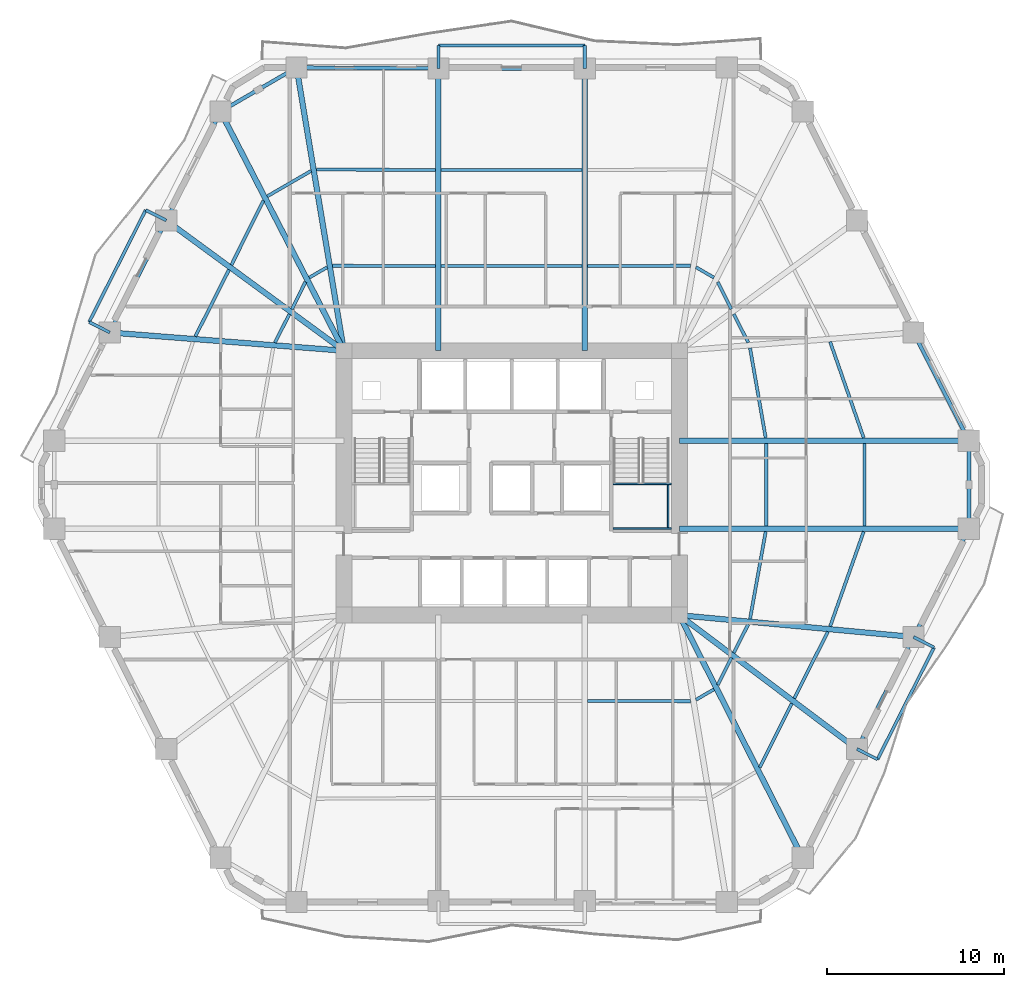
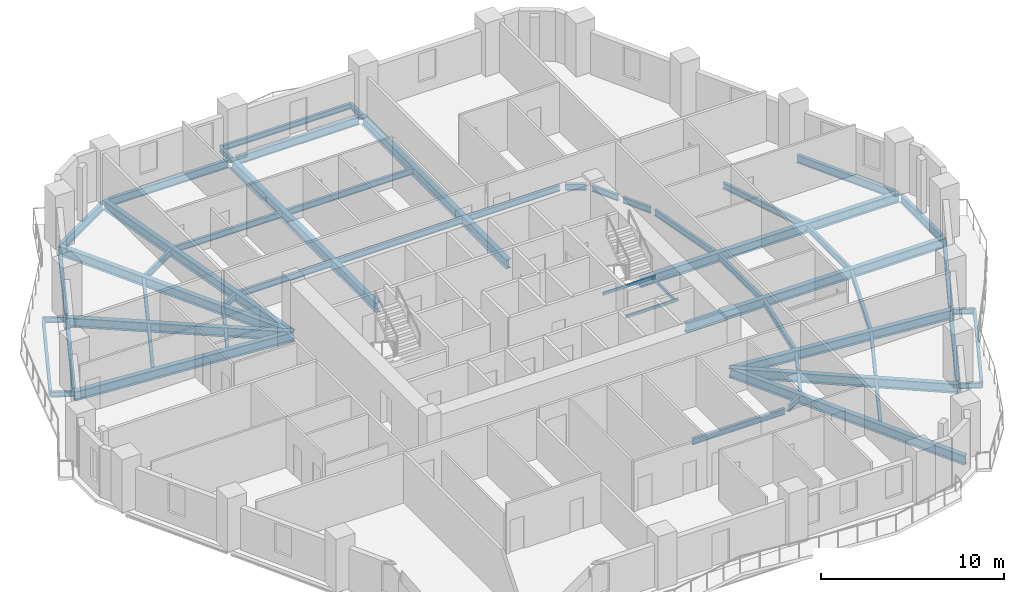
# One storey, part 2 of 12: 58 beams.
"""IFC4 building model written with IfcOpenShell, lengths in metres."""

from ifc_helpers import new_model, si_unit, direction, frame, origin, origin_2d, place, context, subcontext, project, spatial, hollow_rectangle, i_section, extrude, material, material_profile, profile_set, type_object, element, save


model = new_model("IFC4")

# Units and contexts
model_context = context("Model", 3, precision=1e-05, world=origin(), true_north=direction((0.0, 1.0)))
body_context = subcontext(model_context, "Body", "Model", "MODEL_VIEW")
ifc_project = project(units=[si_unit("LENGTHUNIT", "METRE"), si_unit("AREAUNIT", "SQUARE_METRE"), si_unit("VOLUMEUNIT", "CUBIC_METRE"), si_unit("PLANEANGLEUNIT", "RADIAN"), si_unit("MASSUNIT", "GRAM", prefix="KILO")], contexts=[model_context])

# Site, building, storey
site_placement = place(None, origin())
site = spatial("IfcSite", under=ifc_project, at=site_placement, CompositionType="ELEMENT")
building_placement = place(site_placement, origin())
building = spatial("IfcBuilding", under=site, at=building_placement, Name="Cinnabar Lancet Tower", CompositionType="ELEMENT")
storey_placement = place(building_placement, frame((0.0, 0.0, 32.0)))
storey = spatial("IfcBuildingStorey", under=building, at=storey_placement, Name="L07", CompositionType="ELEMENT", Elevation=32.0)

# Beams
ifc_material_1 = material(Name="Structural steel S355", Category="steel")
ifc_material_profile_1 = material_profile(ifc_material_1, i_section(OverallWidth=0.177978515625, OverallDepth=0.406494140625, WebThickness=0.0078125, FlangeThickness=0.0126953125, FilletRadius=0.01025390625, at=origin_2d()), Name="UKB 406x178x60")
ifc_profile_set_1 = profile_set([ifc_material_profile_1], Name="Structural steel S355")
beam_type_1 = type_object("IfcBeamType", Name="STR-BM-JST-406", PredefinedType="JOIST", material=ifc_profile_set_1)
beam_1_placement = place(storey_placement, frame((36.676025390625, 13.616943359375, -0.423095703125), z_axis=(0.999996723732, -0.002559790187, 0.0), x_axis=(0.002559790187, 0.999996723732, 0.0)))
element("IfcBeam", 1, at=beam_1_placement, inside=storey, type_object=beam_type_1, Name="L07 Secondary Floor Joist 14", PredefinedType="JOIST", context=body_context, shape_type="SweptSolid", body=[
    extrude(i_section(OverallWidth=0.177978515625, OverallDepth=0.406494140625, WebThickness=0.0078125, FlangeThickness=0.0126953125, FilletRadius=0.01025390625, at=origin_2d()), origin(), (0.0, 0.0, 1.0), 5.81787109375),
])
beam_2_placement = place(storey_placement, frame((42.7919921875, 13.68408203125, -0.423095703125), z_axis=(0.865192550274, 0.50143977799, 0.0), x_axis=(-0.50143977799, 0.865192550274, 0.0)))
element("IfcBeam", 2, at=beam_2_placement, inside=storey, type_object=beam_type_1, Name="L07 Secondary Floor Joist 16", PredefinedType="JOIST", context=body_context, shape_type="SweptSolid", body=[
    extrude(i_section(OverallWidth=0.177978515625, OverallDepth=0.406494140625, WebThickness=0.0078125, FlangeThickness=0.0126953125, FilletRadius=0.01025390625, at=origin_2d()), origin(), (0.0, 0.0, 1.0), 1.16845703125),
])
beam_3_placement = place(storey_placement, frame((46.385009765625, 9.867919921875, -0.423095703125), z_axis=(0.445835127839, 0.895115098065, 0.0), x_axis=(-0.895115098065, 0.445835127839, 0.0)))
element("IfcBeam", 3, at=beam_3_placement, inside=storey, type_object=beam_type_1, Name="L07 Secondary Floor Joist 17", PredefinedType="JOIST", context=body_context, shape_type="SweptSolid", body=[
    extrude(i_section(OverallWidth=0.177978515625, OverallDepth=0.406494140625, WebThickness=0.0078125, FlangeThickness=0.0126953125, FilletRadius=0.01025390625, at=origin_2d()), origin(), (0.0, 0.0, 1.0), 4.03955078125),
])
beam_4_placement = place(storey_placement, frame((44.02099609375, 14.51806640625, -0.423095703125), z_axis=(0.44578468599, 0.895140220154, 0.0), x_axis=(-0.895140220154, 0.44578468599, 0.0)))
element("IfcBeam", 4, at=beam_4_placement, inside=storey, type_object=beam_type_1, Name="L07 Secondary Floor Joist 18", PredefinedType="JOIST", context=body_context, shape_type="SweptSolid", body=[
    extrude(i_section(OverallWidth=0.177978515625, OverallDepth=0.406494140625, WebThickness=0.0078125, FlangeThickness=0.0126953125, FilletRadius=0.01025390625, at=origin_2d()), origin(), (0.0, 0.0, 1.0), 1.709228515625),
])
beam_5_placement = place(storey_placement, frame((48.325927734375, 13.762939453125, -0.423095703125), z_axis=(0.450717414682, 0.892666685893, 0.0), x_axis=(-0.892666685893, 0.450717414682, 0.0)))
element("IfcBeam", 5, at=beam_5_placement, inside=storey, type_object=beam_type_1, Name="L07 Secondary Floor Joist 19", PredefinedType="JOIST", context=body_context, shape_type="SweptSolid", body=[
    extrude(i_section(OverallWidth=0.177978515625, OverallDepth=0.406494140625, WebThickness=0.0078125, FlangeThickness=0.0126953125, FilletRadius=0.01025390625, at=origin_2d()), origin(), (0.0, 0.0, 1.0), 4.204345703125),
])
beam_6_placement = place(storey_placement, frame((44.923095703125, 16.326904296875, -0.423095703125), z_axis=(0.450411488104, 0.892821085875, 0.0), x_axis=(-0.892821085875, 0.450411488104, 0.0)))
element("IfcBeam", 6, at=beam_6_placement, inside=storey, type_object=beam_type_1, Name="L07 Secondary Floor Joist 20", PredefinedType="JOIST", context=body_context, shape_type="SweptSolid", body=[
    extrude(i_section(OverallWidth=0.177978515625, OverallDepth=0.406494140625, WebThickness=0.0078125, FlangeThickness=0.0126953125, FilletRadius=0.01025390625, at=origin_2d()), origin(), (0.0, 0.0, 1.0), 1.800048828125),
])
beam_7_placement = place(storey_placement, frame((50.347900390625, 17.81201171875, -0.423095703125), z_axis=(0.333387390151, 0.942789927867, 0.0), x_axis=(-0.942789927867, 0.333387390151, 0.0)))
element("IfcBeam", 7, at=beam_7_placement, inside=storey, type_object=beam_type_1, Name="L07 Secondary Floor Joist 21", PredefinedType="JOIST", context=body_context, shape_type="SweptSolid", body=[
    extrude(i_section(OverallWidth=0.177978515625, OverallDepth=0.406494140625, WebThickness=0.0078125, FlangeThickness=0.0126953125, FilletRadius=0.01025390625, at=origin_2d()), origin(), (0.0, 0.0, 1.0), 5.67236328125),
])
beam_8_placement = place(storey_placement, frame((45.8359375, 18.23291015625, -0.423095703125), z_axis=(0.176227857104, 0.984349400559, 0.0), x_axis=(-0.984349400559, 0.176227857104, 0.0)))
element("IfcBeam", 8, at=beam_8_placement, inside=storey, type_object=beam_type_1, Name="L07 Secondary Floor Joist 22", PredefinedType="JOIST", context=body_context, shape_type="SweptSolid", body=[
    extrude(i_section(OverallWidth=0.177978515625, OverallDepth=0.406494140625, WebThickness=0.0078125, FlangeThickness=0.0126953125, FilletRadius=0.01025390625, at=origin_2d()), origin(), (0.0, 0.0, 1.0), 5.00537109375),
])
for number, where, z_axis, x_axis, name in (
    (9, (52.2939453125, 23.468017578125, -0.423095703125), (0.0, 1.0, 0.0), (-1.0, 0.0, 0.0), "L07 Secondary Floor Joist 23"),
    (10, (46.7451171875, 23.468017578125, -0.423095703125), (0.0, 1.0, 0.0), (-1.0, 0.0, 0.0), "L07 Secondary Floor Joist 24"),
):
    element("IfcBeam", number, at=place(storey_placement, frame(where, z_axis=z_axis, x_axis=x_axis)), inside=storey, type_object=beam_type_1, Name=name, PredefinedType="JOIST", context=body_context, shape_type="SweptSolid", body=[
        extrude(i_section(OverallWidth=0.177978515625, OverallDepth=0.406494140625, WebThickness=0.0078125, FlangeThickness=0.0126953125, FilletRadius=0.01025390625, at=origin_2d()), origin(), (0.0, 0.0, 1.0), 4.6640625),
    ])
beam_9_placement = place(storey_placement, frame((52.239990234375, 28.43994140625, -0.423095703125), z_axis=(-0.329645522599, 0.944104776723, 0.0), x_axis=(-0.944104776723, -0.329645522599, 0.0)))
element("IfcBeam", 11, at=beam_9_placement, inside=storey, type_object=beam_type_1, Name="L07 Secondary Floor Joist 25", PredefinedType="JOIST", context=body_context, shape_type="SweptSolid", body=[
    extrude(i_section(OverallWidth=0.177978515625, OverallDepth=0.406494140625, WebThickness=0.0078125, FlangeThickness=0.0126953125, FilletRadius=0.01025390625, at=origin_2d()), origin(), (0.0, 0.0, 1.0), 5.73974609375),
])
beam_10_placement = place(storey_placement, frame((46.718994140625, 28.43994140625, -0.423095703125), z_axis=(-0.171867959611, 0.985119994954, 0.0), x_axis=(-0.985119994954, -0.171867959611, 0.0)))
element("IfcBeam", 12, at=beam_10_placement, inside=storey, type_object=beam_type_1, Name="L07 Secondary Floor Joist 26", PredefinedType="JOIST", context=body_context, shape_type="SweptSolid", body=[
    extrude(i_section(OverallWidth=0.177978515625, OverallDepth=0.406494140625, WebThickness=0.0078125, FlangeThickness=0.0126953125, FilletRadius=0.01025390625, at=origin_2d()), origin(), (0.0, 0.0, 1.0), 5.1435546875),
])
beam_11_placement = place(storey_placement, frame((45.73388671875, 33.806884765625, -0.423095703125), z_axis=(-0.450629740029, 0.892710948405, 0.0), x_axis=(-0.892710948405, -0.450629740029, 0.0)))
element("IfcBeam", 13, at=beam_11_placement, inside=storey, type_object=beam_type_1, Name="L07 Secondary Floor Joist 28", PredefinedType="JOIST", context=body_context, shape_type="SweptSolid", body=[
    extrude(i_section(OverallWidth=0.177978515625, OverallDepth=0.406494140625, WebThickness=0.0078125, FlangeThickness=0.0126953125, FilletRadius=0.01025390625, at=origin_2d()), origin(), (0.0, 0.0, 1.0), 1.79931640625),
])
beam_12_placement = place(storey_placement, frame((44.782958984375, 35.69189453125, -0.423095703125), z_axis=(-0.445556802404, 0.895253671219, 0.0), x_axis=(-0.895253671219, -0.445556802404, 0.0)))
element("IfcBeam", 14, at=beam_12_placement, inside=storey, type_object=beam_type_1, Name="L07 Secondary Floor Joist 30", PredefinedType="JOIST", context=body_context, shape_type="SweptSolid", body=[
    extrude(i_section(OverallWidth=0.177978515625, OverallDepth=0.406494140625, WebThickness=0.0078125, FlangeThickness=0.0126953125, FilletRadius=0.01025390625, at=origin_2d()), origin(), (0.0, 0.0, 1.0), 1.710205078125),
])
beam_13_placement = place(storey_placement, frame((43.802978515625, 37.469970703125, -0.423095703125), z_axis=(-0.865192550274, 0.50143977799, 0.0), x_axis=(-0.50143977799, -0.865192550274, 0.0)))
element("IfcBeam", 15, at=beam_13_placement, inside=storey, type_object=beam_type_1, Name="L07 Secondary Floor Joist 32", PredefinedType="JOIST", context=body_context, shape_type="SweptSolid", body=[
    extrude(i_section(OverallWidth=0.177978515625, OverallDepth=0.406494140625, WebThickness=0.0078125, FlangeThickness=0.0126953125, FilletRadius=0.01025390625, at=origin_2d()), origin(), (0.0, 0.0, 1.0), 1.16845703125),
])
beam_14_placement = place(storey_placement, frame((42.493896484375, 38.137939453125, -0.423095703125), z_axis=(-0.999996723732, -0.002559790187, 0.0), x_axis=(0.002559790187, -0.999996723732, 0.0)))
element("IfcBeam", 16, at=beam_14_placement, inside=storey, type_object=beam_type_1, Name="L07 Secondary Floor Joist 34", PredefinedType="JOIST", context=body_context, shape_type="SweptSolid", body=[
    extrude(i_section(OverallWidth=0.177978515625, OverallDepth=0.406494140625, WebThickness=0.0078125, FlangeThickness=0.0126953125, FilletRadius=0.01025390625, at=origin_2d()), origin(), (0.0, 0.0, 1.0), 5.81787109375),
])
for number, where, z_axis, x_axis, name in (
    (17, (36.367919921875, 43.531005859375, -0.423095703125), (-1.0, 0.0, 0.0), (0.0, -1.0, 0.0), "L07 Secondary Floor Joist 35"),
    (18, (36.367919921875, 38.1220703125, -0.423095703125), (-1.0, 0.0, 0.0), (0.0, -1.0, 0.0), "L07 Secondary Floor Joist 36"),
):
    element("IfcBeam", number, at=place(storey_placement, frame(where, z_axis=z_axis, x_axis=x_axis)), inside=storey, type_object=beam_type_1, Name=name, PredefinedType="JOIST", context=body_context, shape_type="SweptSolid", body=[
        extrude(i_section(OverallWidth=0.177978515625, OverallDepth=0.406494140625, WebThickness=0.0078125, FlangeThickness=0.0126953125, FilletRadius=0.01025390625, at=origin_2d()), origin(), (0.0, 0.0, 1.0), 7.93603515625),
    ])
beam_15_placement = place(storey_placement, frame((28.1240234375, 43.531982421875, -0.423095703125), z_axis=(-0.999988691939, 0.004755627628, 0.0), x_axis=(-0.004755627628, -0.999988691939, 0.0)))
element("IfcBeam", 19, at=beam_15_placement, inside=storey, type_object=beam_type_1, Name="L07 Secondary Floor Joist 37", PredefinedType="JOIST", context=body_context, shape_type="SweptSolid", body=[
    extrude(i_section(OverallWidth=0.177978515625, OverallDepth=0.406494140625, WebThickness=0.0078125, FlangeThickness=0.0126953125, FilletRadius=0.01025390625, at=origin_2d()), origin(), (0.0, 0.0, 1.0), 6.72509765625),
])
beam_16_placement = place(storey_placement, frame((28.1240234375, 38.123046875, -0.423095703125), z_axis=(-0.999996724007, 0.002559682773, 0.0), x_axis=(-0.002559682773, -0.999996724007, 0.0)))
element("IfcBeam", 20, at=beam_16_placement, inside=storey, type_object=beam_type_1, Name="L07 Secondary Floor Joist 38", PredefinedType="JOIST", context=body_context, shape_type="SweptSolid", body=[
    extrude(i_section(OverallWidth=0.177978515625, OverallDepth=0.406494140625, WebThickness=0.0078125, FlangeThickness=0.0126953125, FilletRadius=0.01025390625, at=origin_2d()), origin(), (0.0, 0.0, 1.0), 5.818115234375),
])
beam_17_placement = place(storey_placement, frame((21.10107421875, 43.48291015625, -0.423095703125), z_axis=(-0.865113631149, -0.50157592167, 0.0), x_axis=(0.50157592167, -0.865113631149, 0.0)))
element("IfcBeam", 21, at=beam_17_placement, inside=storey, type_object=beam_type_1, Name="L07 Secondary Floor Joist 39", PredefinedType="JOIST", context=body_context, shape_type="SweptSolid", body=[
    extrude(i_section(OverallWidth=0.177978515625, OverallDepth=0.406494140625, WebThickness=0.0078125, FlangeThickness=0.0126953125, FilletRadius=0.01025390625, at=origin_2d()), origin(), (0.0, 0.0, 1.0), 2.852783203125),
])
beam_18_placement = place(storey_placement, frame((22.008056640625, 38.055908203125, -0.423095703125), z_axis=(-0.865192550274, -0.50143977799, 0.0), x_axis=(0.50143977799, -0.865192550274, 0.0)))
element("IfcBeam", 22, at=beam_18_placement, inside=storey, type_object=beam_type_1, Name="L07 Secondary Floor Joist 40", PredefinedType="JOIST", context=body_context, shape_type="SweptSolid", body=[
    extrude(i_section(OverallWidth=0.177978515625, OverallDepth=0.406494140625, WebThickness=0.0078125, FlangeThickness=0.0126953125, FilletRadius=0.01025390625, at=origin_2d()), origin(), (0.0, 0.0, 1.0), 1.16845703125),
])
beam_19_placement = place(storey_placement, frame((18.4150390625, 41.804931640625, -0.423095703125), z_axis=(-0.445738672706, -0.895163133543, 0.0), x_axis=(0.895163133543, -0.445738672706, 0.0)))
element("IfcBeam", 23, at=beam_19_placement, inside=storey, type_object=beam_type_1, Name="L07 Secondary Floor Joist 41", PredefinedType="JOIST", context=body_context, shape_type="SweptSolid", body=[
    extrude(i_section(OverallWidth=0.177978515625, OverallDepth=0.406494140625, WebThickness=0.0078125, FlangeThickness=0.0126953125, FilletRadius=0.01025390625, at=origin_2d()), origin(), (0.0, 0.0, 1.0), 4.04052734375),
])
beam_20_placement = place(storey_placement, frame((20.779052734375, 37.222900390625, -0.423095703125), z_axis=(-0.445556802404, -0.895253671219, 0.0), x_axis=(0.895253671219, -0.445556802404, 0.0)))
element("IfcBeam", 24, at=beam_20_placement, inside=storey, type_object=beam_type_1, Name="L07 Secondary Floor Joist 42", PredefinedType="JOIST", context=body_context, shape_type="SweptSolid", body=[
    extrude(i_section(OverallWidth=0.177978515625, OverallDepth=0.406494140625, WebThickness=0.0078125, FlangeThickness=0.0126953125, FilletRadius=0.01025390625, at=origin_2d()), origin(), (0.0, 0.0, 1.0), 1.710205078125),
])
beam_21_placement = place(storey_placement, frame((16.47412109375, 37.908935546875, -0.423095703125), z_axis=(-0.450834254961, -0.89260768233, 0.0), x_axis=(0.89260768233, -0.450834254961, 0.0)))
element("IfcBeam", 25, at=beam_21_placement, inside=storey, type_object=beam_type_1, Name="L07 Secondary Floor Joist 43", PredefinedType="JOIST", context=body_context, shape_type="SweptSolid", body=[
    extrude(i_section(OverallWidth=0.177978515625, OverallDepth=0.406494140625, WebThickness=0.0078125, FlangeThickness=0.0126953125, FilletRadius=0.01025390625, at=origin_2d()), origin(), (0.0, 0.0, 1.0), 4.203369140625),
])
beam_22_placement = place(storey_placement, frame((19.876953125, 35.4130859375, -0.423095703125), z_axis=(-0.450737866707, -0.892656359142, 0.0), x_axis=(0.892656359142, -0.450737866707, 0.0)))
element("IfcBeam", 26, at=beam_22_placement, inside=storey, type_object=beam_type_1, Name="L07 Secondary Floor Joist 44", PredefinedType="JOIST", context=body_context, shape_type="SweptSolid", body=[
    extrude(i_section(OverallWidth=0.177978515625, OverallDepth=0.406494140625, WebThickness=0.0078125, FlangeThickness=0.0126953125, FilletRadius=0.01025390625, at=origin_2d()), origin(), (0.0, 0.0, 1.0), 1.79931640625),
])
ifc_material_2 = material(Name="Structural steel S355", Category="steel")
ifc_material_profile_2 = material_profile(ifc_material_2, hollow_rectangle(XDim=0.10009765625, YDim=0.199951171875, WallThickness=0.008056640625, InnerFilletRadius=0.00390625, OuterFilletRadius=0.011962890625, at=origin_2d()), Name="RHS 200x100x8")
ifc_profile_set_2 = profile_set([ifc_material_profile_2], Name="Structural steel S355")
beam_type_2 = type_object("IfcBeamType", Name="STR-BM-LND-203", PredefinedType="BEAM", material=ifc_profile_set_2)
for number, where, z_axis, x_axis, name in (
    (27, (38.1201171875, 23.330078125, 1.47509765625), (1.0, 0.0, 0.0), (0.0, 1.0, 0.0), "L07 ST-2-L07 Landing Support Beam S"),
    (28, (38.1201171875, 25.844970703125, 1.47509765625), (1.0, 0.0, 0.0), (0.0, 1.0, 0.0), "L07 ST-2-L07 Landing Support Beam N"),
):
    element("IfcBeam", number, at=place(storey_placement, frame(where, z_axis=z_axis, x_axis=x_axis)), inside=storey, type_object=beam_type_2, Name=name, PredefinedType="BEAM", context=body_context, shape_type="SweptSolid", body=[
        extrude(hollow_rectangle(XDim=0.10009765625, YDim=0.199951171875, WallThickness=0.008056640625, InnerFilletRadius=0.00390625, OuterFilletRadius=0.011962890625, at=origin_2d()), origin(), (0.0, 0.0, 1.0), 3.27978515625),
    ])
beam_23_placement = place(storey_placement, frame((41.219970703125, 23.3798828125, 1.47509765625), z_axis=(0.0, 1.0, 0.0), x_axis=(-1.0, 0.0, 0.0)))
element("IfcBeam", 29, at=beam_23_placement, inside=storey, type_object=beam_type_2, Name="L07 ST-2-L07 Landing Side Trimmer Beam", PredefinedType="BEAM", context=body_context, shape_type="SweptSolid", body=[
    extrude(hollow_rectangle(XDim=0.10009765625, YDim=0.199951171875, WallThickness=0.008056640625, InnerFilletRadius=0.00390625, OuterFilletRadius=0.011962890625, at=origin_2d()), origin(), (0.0, 0.0, 1.0), 2.4150390625),
])
ifc_material_3 = material(Name="Structural steel S355", Category="steel")
ifc_material_profile_3 = material_profile(ifc_material_3, i_section(OverallWidth=0.209228515625, OverallDepth=0.533203125, WebThickness=0.010009765625, FlangeThickness=0.015625, FilletRadius=0.0126953125, at=origin_2d()), Name="UKB 533x210x92")
ifc_profile_set_3 = profile_set([ifc_material_profile_3], Name="Structural steel S355")
beam_type_3 = type_object("IfcBeamType", Name="STR-BM-SPN-533", PredefinedType="SPANDREL", material=ifc_profile_set_3)
beam_24_placement = place(storey_placement, frame((51.971923828125, 11.132080078125, -0.487060546875), z_axis=(0.450703143926, 0.892673891214, 0.0), x_axis=(-0.892673891214, 0.450703143926, 0.0)))
element("IfcBeam", 30, at=beam_24_placement, inside=storey, type_object=beam_type_3, Name="L07 Perimeter Spandrel 6", PredefinedType="SPANDREL", context=body_context, shape_type="SweptSolid", body=[
    extrude(i_section(OverallWidth=0.209228515625, OverallDepth=0.533203125, WebThickness=0.010009765625, FlangeThickness=0.015625, FilletRadius=0.0126953125, at=origin_2d()), origin(), (0.0, 0.0, 1.0), 6.570068359375),
])
beam_25_placement = place(storey_placement, frame((55.159912109375, 17.443115234375, -0.487060546875), z_axis=(0.456024522632, 0.889967209934, 0.0), x_axis=(-0.889967209934, 0.456024522632, 0.0)))
element("IfcBeam", 31, at=beam_25_placement, inside=storey, type_object=beam_type_3, Name="L07 Perimeter Spandrel 7", PredefinedType="SPANDREL", context=body_context, shape_type="SweptSolid", body=[
    extrude(i_section(OverallWidth=0.209228515625, OverallDepth=0.533203125, WebThickness=0.010009765625, FlangeThickness=0.015625, FilletRadius=0.0126953125, at=origin_2d()), origin(), (0.0, 0.0, 1.0), 6.34619140625),
])
beam_26_placement = place(storey_placement, frame((58.16796875, 23.56396484375, -0.487060546875), z_axis=(0.0, 1.0, 0.0), x_axis=(-1.0, 0.0, 0.0)))
element("IfcBeam", 32, at=beam_26_placement, inside=storey, type_object=beam_type_3, Name="L07 Perimeter Spandrel 8", PredefinedType="SPANDREL", context=body_context, shape_type="SweptSolid", body=[
    extrude(i_section(OverallWidth=0.209228515625, OverallDepth=0.533203125, WebThickness=0.010009765625, FlangeThickness=0.015625, FilletRadius=0.0126953125, at=origin_2d()), origin(), (0.0, 0.0, 1.0), 4.471923828125),
])
beam_27_placement = place(storey_placement, frame((58.053955078125, 28.509033203125, -0.487060546875), z_axis=(-0.456024522632, 0.889967209934, 0.0), x_axis=(-0.889967209934, -0.456024522632, 0.0)))
element("IfcBeam", 33, at=beam_27_placement, inside=storey, type_object=beam_type_3, Name="L07 Perimeter Spandrel 9", PredefinedType="SPANDREL", context=body_context, shape_type="SweptSolid", body=[
    extrude(i_section(OverallWidth=0.209228515625, OverallDepth=0.533203125, WebThickness=0.010009765625, FlangeThickness=0.015625, FilletRadius=0.0126953125, at=origin_2d()), origin(), (0.0, 0.0, 1.0), 6.34619140625),
])
beam_28_placement = place(storey_placement, frame((36.27197265625, 49.258056640625, -0.487060546875), z_axis=(-1.0, 0.0, 0.0), x_axis=(0.0, -1.0, 0.0)))
element("IfcBeam", 34, at=beam_28_placement, inside=storey, type_object=beam_type_3, Name="L07 Perimeter Spandrel 14", PredefinedType="SPANDREL", context=body_context, shape_type="SweptSolid", body=[
    extrude(i_section(OverallWidth=0.209228515625, OverallDepth=0.533203125, WebThickness=0.010009765625, FlangeThickness=0.015625, FilletRadius=0.0126953125, at=origin_2d()), origin(), (0.0, 0.0, 1.0), 7.743896484375),
])
beam_29_placement = place(storey_placement, frame((28.028076171875, 49.260009765625, -0.487060546875), z_axis=(-0.99997856757, 0.006547090947, 0.0), x_axis=(-0.006547090947, -0.99997856757, 0.0)))
element("IfcBeam", 35, at=beam_29_placement, inside=storey, type_object=beam_type_3, Name="L07 Perimeter Spandrel 15", PredefinedType="SPANDREL", context=body_context, shape_type="SweptSolid", body=[
    extrude(i_section(OverallWidth=0.209228515625, OverallDepth=0.533203125, WebThickness=0.010009765625, FlangeThickness=0.015625, FilletRadius=0.0126953125, at=origin_2d()), origin(), (0.0, 0.0, 1.0), 7.495361328125),
])
beam_30_placement = place(storey_placement, frame((20.06689453125, 49.18603515625, -0.487060546875), z_axis=(-0.865147238596, -0.501517951374, 0.0), x_axis=(0.501517951374, -0.865147238596, 0.0)))
element("IfcBeam", 36, at=beam_30_placement, inside=storey, type_object=beam_type_3, Name="L07 Perimeter Spandrel 16", PredefinedType="SPANDREL", context=body_context, shape_type="SweptSolid", body=[
    extrude(i_section(OverallWidth=0.209228515625, OverallDepth=0.533203125, WebThickness=0.010009765625, FlangeThickness=0.015625, FilletRadius=0.0126953125, at=origin_2d()), origin(), (0.0, 0.0, 1.0), 4.454833984375),
])
beam_31_placement = place(storey_placement, frame((15.885986328125, 46.60302734375, -0.487060546875), z_axis=(-0.445953050023, -0.89505635419, 0.0), x_axis=(0.89505635419, -0.445953050023, 0.0)))
element("IfcBeam", 37, at=beam_31_placement, inside=storey, type_object=beam_type_3, Name="L07 Perimeter Spandrel 17", PredefinedType="SPANDREL", context=body_context, shape_type="SweptSolid", body=[
    extrude(i_section(OverallWidth=0.209228515625, OverallDepth=0.533203125, WebThickness=0.010009765625, FlangeThickness=0.015625, FilletRadius=0.0126953125, at=origin_2d()), origin(), (0.0, 0.0, 1.0), 6.35498046875),
])
beam_32_placement = place(storey_placement, frame((12.827880859375, 40.468017578125, -0.487060546875), z_axis=(-0.450673532306, -0.892688841242, 0.0), x_axis=(0.892688841242, -0.450673532306, 0.0)))
element("IfcBeam", 38, at=beam_32_placement, inside=storey, type_object=beam_type_3, Name="L07 Perimeter Spandrel 18", PredefinedType="SPANDREL", context=body_context, shape_type="SweptSolid", body=[
    extrude(i_section(OverallWidth=0.209228515625, OverallDepth=0.533203125, WebThickness=0.010009765625, FlangeThickness=0.015625, FilletRadius=0.0126953125, at=origin_2d()), origin(), (0.0, 0.0, 1.0), 6.570068359375),
])
ifc_material_4 = material(Name="Structural steel S355", Category="steel")
ifc_material_profile_4 = material_profile(ifc_material_4, i_section(OverallWidth=0.30712890625, OverallDepth=0.6201171875, WebThickness=0.01416015625, FlangeThickness=0.023681640625, FilletRadius=0.0166015625, at=origin_2d()), Name="UKB 610x305x179")
ifc_profile_set_4 = profile_set([ifc_material_profile_4], Name="Structural steel S355")
beam_type_4 = type_object("IfcBeamType", Name="STR-BM-UKB610-179", PredefinedType="BEAM", material=ifc_profile_set_4)
beam_33_placement = place(storey_placement, frame((51.85888671875, 10.908935546875, -0.530029296875), z_axis=(-0.798679534026, 0.601756596912, 0.0), x_axis=(-0.601756596912, -0.798679534026, 0.0)))
element("IfcBeam", 39, at=beam_33_placement, inside=storey, type_object=beam_type_4, Name="L07 Corner Collector Girder 2", PredefinedType="BEAM", context=body_context, shape_type="SweptSolid", body=[
    extrude(i_section(OverallWidth=0.30712890625, OverallDepth=0.6201171875, WebThickness=0.01416015625, FlangeThickness=0.023681640625, FilletRadius=0.0166015625, at=origin_2d()), origin(), (0.0, 0.0, 1.0), 12.53173828125),
])
beam_34_placement = place(storey_placement, frame((12.94091796875, 40.69091796875, -0.530029296875), z_axis=(0.806371852816, -0.591408856026, 0.0), x_axis=(0.591408856026, 0.806371852816, 0.0)))
element("IfcBeam", 40, at=beam_34_placement, inside=storey, type_object=beam_type_4, Name="L07 Corner Collector Girder 4", PredefinedType="BEAM", context=body_context, shape_type="SweptSolid", body=[
    extrude(i_section(OverallWidth=0.30712890625, OverallDepth=0.6201171875, WebThickness=0.01416015625, FlangeThickness=0.023681640625, FilletRadius=0.0166015625, at=origin_2d()), origin(), (0.0, 0.0, 1.0), 12.412353515625),
])
beam_35_placement = place(storey_placement, frame((48.802978515625, 4.77294921875, -0.530029296875), z_axis=(-0.453167599586, 0.89142533433, 0.0), x_axis=(-0.89142533433, -0.453167599586, 0.0)))
element("IfcBeam", 41, at=beam_35_placement, inside=storey, type_object=beam_type_4, Name="L07 Primary Floor Girder 5", PredefinedType="BEAM", context=body_context, shape_type="SweptSolid", body=[
    extrude(i_section(OverallWidth=0.30712890625, OverallDepth=0.6201171875, WebThickness=0.01416015625, FlangeThickness=0.023681640625, FilletRadius=0.0166015625, at=origin_2d()), origin(), (0.0, 0.0, 1.0), 15.3427734375),
])
beam_36_placement = place(storey_placement, frame((55.0458984375, 17.219970703125, -0.530029296875), z_axis=(-0.99568405159, 0.092807701238, 0.0), x_axis=(-0.092807701238, -0.99568405159, 0.0)))
element("IfcBeam", 42, at=beam_36_placement, inside=storey, type_object=beam_type_4, Name="L07 Primary Floor Girder 7", PredefinedType="BEAM", context=body_context, shape_type="SweptSolid", body=[
    extrude(i_section(OverallWidth=0.30712890625, OverallDepth=0.6201171875, WebThickness=0.01416015625, FlangeThickness=0.023681640625, FilletRadius=0.0166015625, at=origin_2d()), origin(), (0.0, 0.0, 1.0), 13.2529296875),
])
for number, where, z_axis, x_axis, name in (
    (43, (58.16796875, 23.31396484375, -0.530029296875), (-1.0, 0.0, 0.0), (0.0, -1.0, 0.0), "L07 Primary Floor Girder 8"),
    (44, (58.16796875, 28.285888671875, -0.530029296875), (-1.0, 0.0, 0.0), (0.0, -1.0, 0.0), "L07 Primary Floor Girder 9"),
):
    element("IfcBeam", number, at=place(storey_placement, frame(where, z_axis=z_axis, x_axis=x_axis)), inside=storey, type_object=beam_type_4, Name=name, PredefinedType="BEAM", context=body_context, shape_type="SweptSolid", body=[
        extrude(i_section(OverallWidth=0.30712890625, OverallDepth=0.6201171875, WebThickness=0.01416015625, FlangeThickness=0.023681640625, FilletRadius=0.0166015625, at=origin_2d()), origin(), (0.0, 0.0, 1.0), 16.31787109375),
    ])
for number, where, z_axis, x_axis, name in (
    (45, (36.52197265625, 49.258056640625, -0.530029296875), (0.0, -1.0, 0.0), (1.0, 0.0, 0.0), "L07 Primary Floor Girder 14"),
    (46, (28.278076171875, 49.258056640625, -0.530029296875), (0.0, -1.0, 0.0), (1.0, 0.0, 0.0), "L07 Primary Floor Girder 15"),
):
    element("IfcBeam", number, at=place(storey_placement, frame(where, z_axis=z_axis, x_axis=x_axis)), inside=storey, type_object=beam_type_4, Name=name, PredefinedType="BEAM", context=body_context, shape_type="SweptSolid", body=[
        extrude(i_section(OverallWidth=0.30712890625, OverallDepth=0.6201171875, WebThickness=0.01416015625, FlangeThickness=0.023681640625, FilletRadius=0.0166015625, at=origin_2d()), origin(), (0.0, 0.0, 1.0), 15.907958984375),
    ])
beam_37_placement = place(storey_placement, frame((20.282958984375, 49.31103515625, -0.530029296875), z_axis=(0.164809990854, -0.986325335229, 0.0), x_axis=(0.986325335229, 0.164809990854, 0.0)))
element("IfcBeam", 47, at=beam_37_placement, inside=storey, type_object=beam_type_4, Name="L07 Primary Floor Girder 16", PredefinedType="BEAM", context=body_context, shape_type="SweptSolid", body=[
    extrude(i_section(OverallWidth=0.30712890625, OverallDepth=0.6201171875, WebThickness=0.01416015625, FlangeThickness=0.023681640625, FilletRadius=0.0166015625, at=origin_2d()), origin(), (0.0, 0.0, 1.0), 16.18212890625),
])
beam_38_placement = place(storey_placement, frame((15.9970703125, 46.826904296875, -0.530029296875), z_axis=(0.458492410387, -0.888698323177, 0.0), x_axis=(0.888698323177, 0.458492410387, 0.0)))
element("IfcBeam", 48, at=beam_38_placement, inside=storey, type_object=beam_type_4, Name="L07 Primary Floor Girder 17", PredefinedType="BEAM", context=body_context, shape_type="SweptSolid", body=[
    extrude(i_section(OverallWidth=0.30712890625, OverallDepth=0.6201171875, WebThickness=0.01416015625, FlangeThickness=0.023681640625, FilletRadius=0.0166015625, at=origin_2d()), origin(), (0.0, 0.0, 1.0), 15.16455078125),
])
beam_39_placement = place(storey_placement, frame((9.75390625, 34.3798828125, -0.530029296875), z_axis=(0.99696891848, -0.077800871365, 0.0), x_axis=(0.077800871365, 0.99696891848, 0.0)))
element("IfcBeam", 49, at=beam_39_placement, inside=storey, type_object=beam_type_4, Name="L07 Primary Floor Girder 19", PredefinedType="BEAM", context=body_context, shape_type="SweptSolid", body=[
    extrude(i_section(OverallWidth=0.30712890625, OverallDepth=0.6201171875, WebThickness=0.01416015625, FlangeThickness=0.023681640625, FilletRadius=0.0166015625, at=origin_2d()), origin(), (0.0, 0.0, 1.0), 13.236083984375),
])
ifc_material_5 = material(Name="Structural steel S355", Category="steel")
ifc_material_profile_5 = material_profile(ifc_material_5, i_section(OverallWidth=0.17138671875, OverallDepth=0.35498046875, WebThickness=0.00732421875, FlangeThickness=0.011474609375, FilletRadius=0.01025390625, at=origin_2d()), Name="UKB 356x171x51")
ifc_profile_set_5 = profile_set([ifc_material_profile_5], Name="Structural steel S355")
beam_type_5 = type_object("IfcBeamType", Name="STR-BM-WAV-OUT", PredefinedType="BEAM", material=ifc_profile_set_5)
for number, where, z_axis, x_axis, name in (
    (50, (51.85888671875, 10.908935546875, -0.39697265625), (0.892314203325, -0.451414845285, 0.0), (0.451414845285, 0.892314203325, 0.0), "L07 Face 2 Balcony Outlooker A"),
    (51, (55.0458984375, 17.219970703125, -0.39697265625), (0.892314203325, -0.451414845285, 0.0), (0.451414845285, 0.892314203325, 0.0), "L07 Face 2 Balcony Outlooker B"),
    (52, (36.52197265625, 49.258056640625, -0.39697265625), (0.0, 1.0, 0.0), (-1.0, 0.0, 0.0), "L07 Face 4 Balcony Outlooker A"),
    (53, (28.278076171875, 49.258056640625, -0.39697265625), (0.0, 1.0, 0.0), (-1.0, 0.0, 0.0), "L07 Face 4 Balcony Outlooker B"),
    (54, (12.94091796875, 40.69091796875, -0.39697265625), (-0.892200264127, 0.451639998995, 0.0), (-0.451639998995, -0.892200264127, 0.0), "L07 Face 5 Balcony Outlooker A"),
    (55, (9.75390625, 34.3798828125, -0.39697265625), (-0.892200264127, 0.451639998995, 0.0), (-0.451639998995, -0.892200264127, 0.0), "L07 Face 5 Balcony Outlooker B"),
):
    element("IfcBeam", number, at=place(storey_placement, frame(where, z_axis=z_axis, x_axis=x_axis)), inside=storey, type_object=beam_type_5, Name=name, PredefinedType="BEAM", context=body_context, shape_type="SweptSolid", body=[
        extrude(i_section(OverallWidth=0.17138671875, OverallDepth=0.35498046875, WebThickness=0.00732421875, FlangeThickness=0.011474609375, FilletRadius=0.01025390625, at=origin_2d()), origin(), (0.0, 0.0, 1.0), 1.300048828125),
    ])
ifc_material_6 = material(Name="Structural steel S355", Category="steel")
ifc_material_profile_6 = material_profile(ifc_material_6, i_section(OverallWidth=0.17138671875, OverallDepth=0.35498046875, WebThickness=0.00732421875, FlangeThickness=0.011474609375, FilletRadius=0.01025390625, at=origin_2d()), Name="UKB 356x171x51")
ifc_profile_set_6 = profile_set([ifc_material_profile_6], Name="Structural steel S355")
beam_type_6 = type_object("IfcBeamType", Name="STR-BM-WAV-TRIM", PredefinedType="SPANDREL", material=ifc_profile_set_6)
beam_40_placement = place(storey_placement, frame((53.01904296875, 10.322021484375, -0.39697265625), z_axis=(0.450773692627, 0.892638268301, 0.0), x_axis=(-0.892638268301, 0.450773692627, 0.0)))
element("IfcBeam", 56, at=beam_40_placement, inside=storey, type_object=beam_type_6, Name="L07 Face 2 Balcony Edge Trimmer", PredefinedType="SPANDREL", context=body_context, shape_type="SweptSolid", body=[
    extrude(i_section(OverallWidth=0.17138671875, OverallDepth=0.35498046875, WebThickness=0.00732421875, FlangeThickness=0.011474609375, FilletRadius=0.01025390625, at=origin_2d()), origin(), (0.0, 0.0, 1.0), 7.070068359375),
])
beam_41_placement = place(storey_placement, frame((36.52197265625, 50.55810546875, -0.39697265625), z_axis=(-1.0, 0.0, 0.0), x_axis=(0.0, -1.0, 0.0)))
element("IfcBeam", 57, at=beam_41_placement, inside=storey, type_object=beam_type_6, Name="L07 Face 4 Balcony Edge Trimmer", PredefinedType="SPANDREL", context=body_context, shape_type="SweptSolid", body=[
    extrude(i_section(OverallWidth=0.17138671875, OverallDepth=0.35498046875, WebThickness=0.00732421875, FlangeThickness=0.011474609375, FilletRadius=0.01025390625, at=origin_2d()), origin(), (0.0, 0.0, 1.0), 8.243896484375),
])
beam_42_placement = place(storey_placement, frame((11.781005859375, 41.278076171875, -0.39697265625), z_axis=(-0.450773692627, -0.892638268301, 0.0), x_axis=(0.892638268301, -0.450773692627, 0.0)))
element("IfcBeam", 58, at=beam_42_placement, inside=storey, type_object=beam_type_6, Name="L07 Face 5 Balcony Edge Trimmer", PredefinedType="SPANDREL", context=body_context, shape_type="SweptSolid", body=[
    extrude(i_section(OverallWidth=0.17138671875, OverallDepth=0.35498046875, WebThickness=0.00732421875, FlangeThickness=0.011474609375, FilletRadius=0.01025390625, at=origin_2d()), origin(), (0.0, 0.0, 1.0), 7.070068359375),
])

save(model, "model.ifc")
